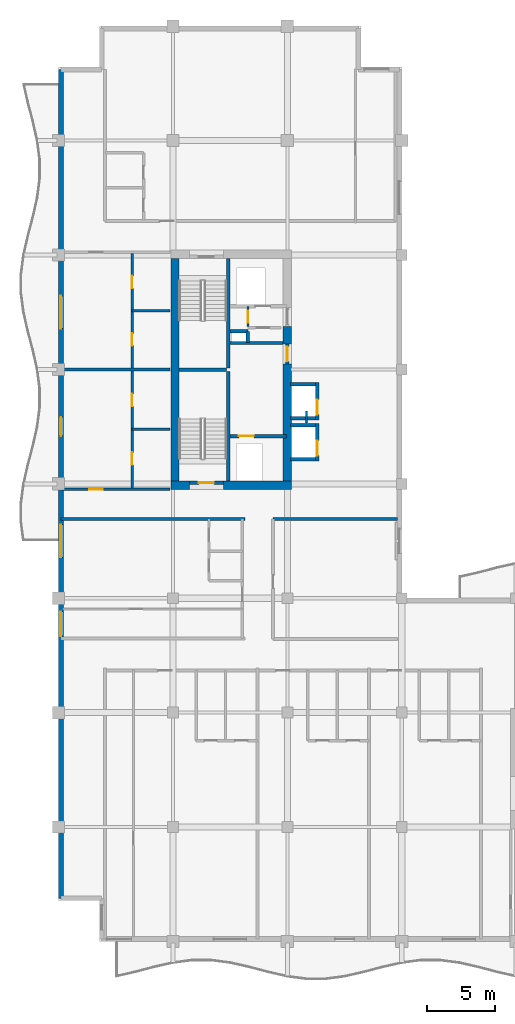
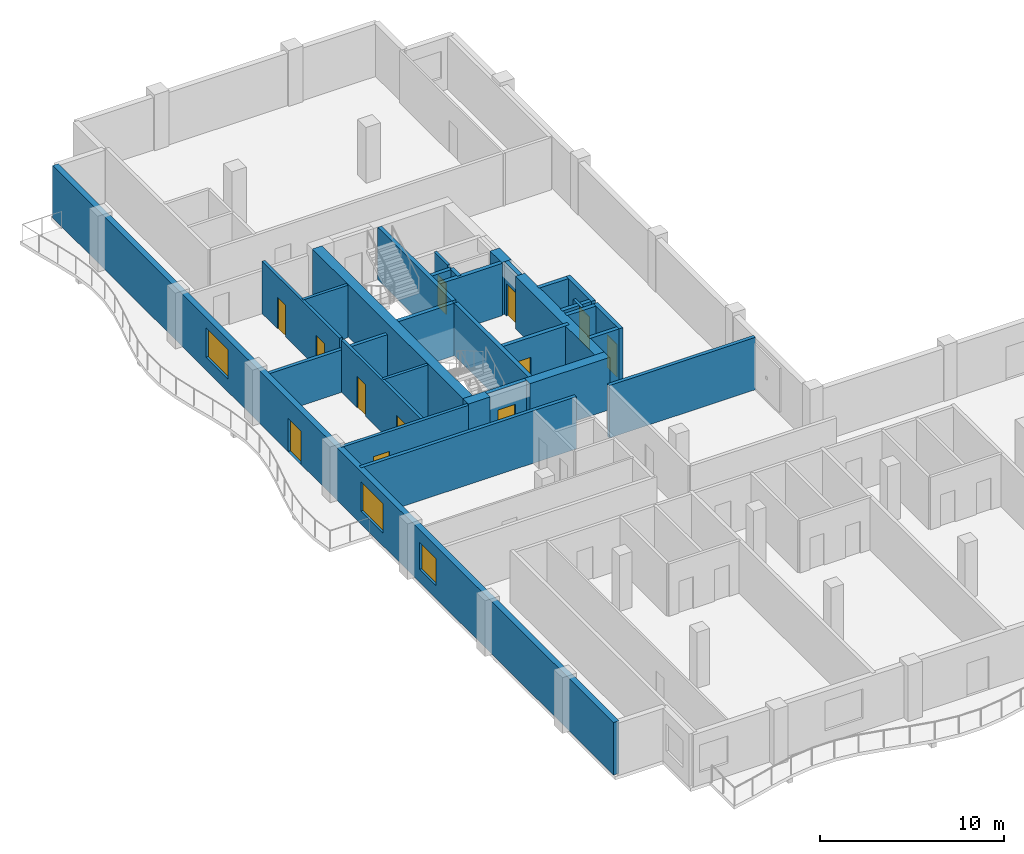
# One storey, part 6 of 12: 31 walls, 12 doors, 3 windows, 15 openings.
"""IFC4 building model written with IfcOpenShell, lengths in metres."""

from ifc_helpers import new_model, si_unit, direction, frame, frame_2d, origin, place, context, subcontext, project, spatial, rectangle, extrude, material, layer, layer_set, type_object, element, fill, save


model = new_model("IFC4")

# Units and contexts
model_context = context("Model", 3, precision=1e-05, world=origin(), true_north=direction((0.0, 1.0)))
body_context = subcontext(model_context, "Body", "Model", "MODEL_VIEW")
ifc_project = project(units=[si_unit("LENGTHUNIT", "METRE"), si_unit("AREAUNIT", "SQUARE_METRE"), si_unit("VOLUMEUNIT", "CUBIC_METRE"), si_unit("PLANEANGLEUNIT", "RADIAN"), si_unit("MASSUNIT", "GRAM", prefix="KILO")], contexts=[model_context])

# Site, building, storey
site_placement = place(None, origin())
site = spatial("IfcSite", under=ifc_project, at=site_placement, CompositionType="ELEMENT")
building_placement = place(site_placement, origin())
building = spatial("IfcBuilding", under=site, at=building_placement, Name="Koriwani Terraces Tower", CompositionType="ELEMENT")
storey_placement = place(building_placement, frame((0.0, 0.0, 249.0)))
storey = spatial("IfcBuildingStorey", under=building, at=storey_placement, Name="L61", CompositionType="ELEMENT", Elevation=249.0)

# Walls
ifc_material_1 = material(Name="Concrete C60/75", Category="concrete")
ifc_layer_1 = layer(ifc_material_1, 0.60009765625, Name="Concrete C60/75")
ifc_layer_set_1 = layer_set([ifc_layer_1], Name="Concrete C60/75")
wall_type_1 = type_object("IfcWallType", Name="WALL_CORE_RC_600", PredefinedType="SHEAR", material=ifc_layer_set_1)
wall_1_placement = place(storey_placement, frame((16.64990234375, 41.89990234375, 0.0), z_axis=(0.0, 0.0, 1.0), x_axis=(1.0, 0.0, 0.0)))
element("IfcWall", 1, at=wall_1_placement, inside=storey, type_object=wall_type_1, Name="L61 West Split Core Shear Wall S1", PredefinedType="SHEAR", context=body_context, shape_type="SweptSolid", body=[
    extrude(rectangle(XDim=1.35009765625, YDim=0.60009765625, at=frame_2d((0.675048828125, 0.0))), origin(), (0.0, 0.0, 1.0), 3.469970703125),
])
wall_2_placement = place(storey_placement, frame((20.5, 41.89990234375, 0.0), z_axis=(0.0, 0.0, 1.0), x_axis=(1.0, 0.0, 0.0)))
element("IfcWall", 2, at=wall_2_placement, inside=storey, type_object=wall_type_1, Name="L61 West Split Core Shear Wall S2", PredefinedType="SHEAR", context=body_context, shape_type="SweptSolid", body=[
    extrude(rectangle(XDim=5.0, YDim=0.60009765625, at=frame_2d((2.5, 0.0))), origin(), (0.0, 0.0, 1.0), 3.469970703125),
])
wall_3_placement = place(storey_placement, frame((16.949951171875, 42.199951171875, 0.0), z_axis=(0.0, 0.0, 1.0), x_axis=(0.0, 1.0, 0.0)))
element("IfcWall", 3, at=wall_3_placement, inside=storey, type_object=wall_type_1, Name="L61 West Split Core Shear Wall W1", PredefinedType="SHEAR", context=body_context, shape_type="SweptSolid", body=[
    extrude(rectangle(XDim=16.35009765625, YDim=0.60009765625, at=frame_2d((8.175048828125, 0.0))), origin(), (0.0, 0.0, 1.0), 3.469970703125),
])
wall_4_placement = place(storey_placement, frame((25.199951171875, 42.199951171875, 0.0), z_axis=(0.0, 0.0, 1.0), x_axis=(0.0, 1.0, 0.0)))
element("IfcWall", 4, at=wall_4_placement, inside=storey, type_object=wall_type_1, Name="L61 West Split Core Shear Wall E1", PredefinedType="SHEAR", context=body_context, shape_type="SweptSolid", body=[
    extrude(rectangle(XDim=8.60009765625, YDim=0.60009765625, at=frame_2d((4.300048828125, 0.0))), origin(), (0.0, 0.0, 1.0), 3.469970703125),
])
wall_5_placement = place(storey_placement, frame((25.199951171875, 52.280029296875, 0.0), z_axis=(0.0, 0.0, 1.0), x_axis=(0.0, 1.0, 0.0)))
element("IfcWall", 5, at=wall_5_placement, inside=storey, type_object=wall_type_1, Name="L61 West Split Core Shear Wall E2", PredefinedType="SHEAR", context=body_context, shape_type="SweptSolid", body=[
    extrude(rectangle(XDim=1.27001953125, YDim=0.60009765625, at=frame_2d((0.635009765625, 0.0))), origin(), (0.0, 0.0, 1.0), 3.469970703125),
])

# Wall, opening, door
ifc_material_2 = material(Name="Autoclaved Cellular Concrete Blockwork", Category="masonry")
ifc_layer_2 = layer(ifc_material_2, 0.199951171875, Name="Autoclaved Cellular Concrete Blockwork")
ifc_layer_set_2 = layer_set([ifc_layer_2], Name="Autoclaved Cellular Concrete Blockwork")
wall_type_2 = type_object("IfcWallType", Name="WALL_CORRIDOR_200", PredefinedType="PARTITIONING", material=ifc_layer_set_2)
wall_6_placement = place(storey_placement, frame((8.64990234375, 41.60009765625, 0.0), z_axis=(0.0, 0.0, 1.0), x_axis=(1.0, 0.0, 0.0)))
wall_6 = element("IfcWall", 6, at=wall_6_placement, inside=storey, type_object=wall_type_2, Name="L61 Interior Wall WRZ4-WS-L61", PredefinedType="PARTITIONING", context=body_context, shape_type="SweptSolid", body=[
    extrude(rectangle(XDim=7.9501953125, YDim=0.199951171875, at=frame_2d((3.97509765625, 0.0))), origin(), (0.0, 0.0, 1.0), 3.469970703125),
])
opening_1_placement = place(wall_6_placement, frame((2.0, 0.0, 0.0)))
opening_1 = element("IfcOpeningElement", 7, at=opening_1_placement, cuts=wall_6, Name="Opening D-05", PredefinedType="OPENING", context=body_context, shape_type="SweptSolid", body=[
    extrude(rectangle(XDim=1.0, YDim=2.14990234375, at=frame_2d((0.5, 1.074951171875))), frame((0.0, 0.10986328125, 0.0), z_axis=(0.0, -1.0, 0.0), x_axis=(1.0, 0.0, 0.0)), (0.0, 0.0, 1.0), 0.219970703125),
])
ifc_material_3 = material(Name="Architectural Oak Fire Door", Category="wood")
door_type_1 = type_object("IfcDoorType", Name="DOOR_SUITE_ENTRY_1000X2150", OperationType="NOTDEFINED", PredefinedType="DOOR", material=ifc_material_3)
door_1_placement = place(opening_1_placement, origin())
door_1 = element("IfcDoor", 8, at=door_1_placement, inside=storey, type_object=door_type_1, Name="Apartment 61RW1 Entrance Door", OperationType="SINGLE_SWING_RIGHT", OverallHeight=2.14990234375, OverallWidth=1.0, PredefinedType="DOOR", context=body_context, shape_type="SweptSolid", body=[
    extrude(rectangle(XDim=1.0, YDim=2.14990234375, at=frame_2d((0.5, 1.074951171875))), frame((0.0, 0.02490234375, 0.0), z_axis=(0.0, -1.0, 0.0), x_axis=(1.0, 0.0, 0.0)), (0.0, 0.0, 1.0), 0.050048828125),
])
fill(opening_1, door_1)

# Walls
ifc_layer_3 = layer(ifc_material_2, 0.219970703125, Name="Autoclaved Cellular Concrete Blockwork")
ifc_layer_set_3 = layer_set([ifc_layer_3], Name="Autoclaved Cellular Concrete Blockwork")
wall_type_3 = type_object("IfcWallType", Name="WALL_DEMISING_220", PredefinedType="PARTITIONING", material=ifc_layer_set_3)
wall_7_placement = place(storey_placement, frame((24.14990234375, 39.39990234375, 0.0), z_axis=(0.0, 0.0, 1.0), x_axis=(1.0, 0.0, 0.0)))
element("IfcWall", 9, at=wall_7_placement, inside=storey, type_object=wall_type_3, Name="L61 Interior Wall WIC4WN-L61", PredefinedType="PARTITIONING", context=body_context, shape_type="SweptSolid", body=[
    extrude(rectangle(XDim=9.150146484375, YDim=0.219970703125, at=frame_2d((4.5751953125, 0.0))), origin(), (0.0, 0.0, 1.0), 3.469970703125),
])
wall_8_placement = place(storey_placement, frame((8.64990234375, 50.39990234375, 0.0), z_axis=(0.0, 0.0, 1.0), x_axis=(1.0, 0.0, 0.0)))
element("IfcWall", 10, at=wall_8_placement, inside=storey, type_object=wall_type_3, Name="L61 Interior Wall WRZ4-WM-L61", PredefinedType="PARTITIONING", context=body_context, shape_type="SweptSolid", body=[
    extrude(rectangle(XDim=7.9501953125, YDim=0.219970703125, at=frame_2d((3.97509765625, 0.0))), origin(), (0.0, 0.0, 1.0), 2.820068359375),
])
wall_9_placement = place(storey_placement, frame((8.60009765625, 39.39990234375, 0.0), z_axis=(0.0, 0.0, 1.0), x_axis=(1.0, 0.0, 0.0)))
element("IfcWall", 11, at=wall_9_placement, inside=storey, type_object=wall_type_3, Name="L61 Interior Wall WRDEME-L61-NE", PredefinedType="PARTITIONING", context=body_context, shape_type="SweptSolid", body=[
    extrude(rectangle(XDim=13.47998046875, YDim=0.219970703125, at=frame_2d((6.739990234375, 0.0))), origin(), (0.0, 0.0, 1.0), 3.469970703125),
])

# Wall, openings, door, windows
ifc_material_4 = material(Name="Concrete C50/60", Category="concrete")
ifc_layer_4 = layer(ifc_material_4, 0.35009765625, Name="Concrete C50/60")
ifc_layer_set_4 = layer_set([ifc_layer_4], Name="Concrete C50/60")
wall_type_4 = type_object("IfcWallType", Name="WALL_EXT_BRUTALIST_350", PredefinedType="STANDARD", material=ifc_layer_set_4)
wall_10_placement = place(storey_placement, frame((8.574951171875, 11.574951171875, 0.0), z_axis=(0.0, 0.0, 1.0), x_axis=(0.0, 1.0, 0.0)))
wall_10 = element("IfcWall", 12, at=wall_10_placement, inside=storey, type_object=wall_type_4, Name="L61 Fair-Faced Brutalist Exterior Wall (W)", PredefinedType="STANDARD", context=body_context, shape_type="SweptSolid", body=[
    extrude(rectangle(XDim=60.85009765625, YDim=0.35009765625, at=frame_2d((30.425048828125, 0.0))), origin(), (0.0, 0.0, 1.0), 3.469970703125),
])
opening_2_placement = place(wall_10_placement, frame((33.925048828125, 0.0, 0.0)))
opening_2 = element("IfcOpeningElement", 13, at=opening_2_placement, cuts=wall_10, Name="Opening D-09", PredefinedType="OPENING", context=body_context, shape_type="SweptSolid", body=[
    extrude(rectangle(XDim=1.39990234375, YDim=2.199951171875, at=frame_2d((0.699951171875, 1.10009765625))), frame((0.0, 0.18505859375, 0.0), z_axis=(0.0, -1.0, 0.0), x_axis=(1.0, 0.0, 0.0)), (0.0, 0.0, 1.0), 0.3701171875),
])
opening_3_placement = place(wall_10_placement, frame((25.02490234375, 0.0, 0.85009765625)))
opening_3 = element("IfcOpeningElement", 14, at=opening_3_placement, cuts=wall_10, Name="Opening W-03", PredefinedType="OPENING", context=body_context, shape_type="SweptSolid", body=[
    extrude(rectangle(XDim=2.39990234375, YDim=1.949951171875, at=frame_2d((1.199951171875, 0.97509765625))), frame((0.0, 0.18505859375, 0.0), z_axis=(0.0, -1.0, 0.0), x_axis=(1.0, 0.0, 0.0)), (0.0, 0.0, 1.0), 0.3701171875),
])
opening_4_placement = place(wall_10_placement, frame((41.824951171875, 0.0, 0.85009765625)))
opening_4 = element("IfcOpeningElement", 15, at=opening_4_placement, cuts=wall_10, Name="Opening W-03", PredefinedType="OPENING", context=body_context, shape_type="SweptSolid", body=[
    extrude(rectangle(XDim=2.39990234375, YDim=1.949951171875, at=frame_2d((1.199951171875, 0.97509765625))), frame((0.0, 0.18505859375, 0.0), z_axis=(0.0, -1.0, 0.0), x_axis=(1.0, 0.0, 0.0)), (0.0, 0.0, 1.0), 0.3701171875),
])
opening_5_placement = place(wall_10_placement, frame((19.25, 0.0, 0.85009765625)))
opening_5 = element("IfcOpeningElement", 16, at=opening_5_placement, cuts=wall_10, Name="Opening W-04", PredefinedType="OPENING", context=body_context, shape_type="SweptSolid", body=[
    extrude(rectangle(XDim=1.800048828125, YDim=1.800048828125, at=frame_2d((0.89990234375, 0.89990234375))), frame((0.0, 0.18505859375, 0.0), z_axis=(0.0, -1.0, 0.0), x_axis=(1.0, 0.0, 0.0)), (0.0, 0.0, 1.0), 0.3701171875),
])
ifc_material_5 = material(Name="Anodised Bronze Aluminium", Category="aluminium")
door_type_2 = type_object("IfcDoorType", Name="DOOR_BALCONY_GLAZED_1400X2200", OperationType="NOTDEFINED", PredefinedType="DOOR", material=ifc_material_5)
door_2_placement = place(opening_2_placement, origin())
door_2 = element("IfcDoor", 17, at=door_2_placement, inside=storey, type_object=door_type_2, Name="L61 West Balcony Glazed Door", OperationType="SINGLE_SWING_LEFT", OverallHeight=2.199951171875, OverallWidth=1.39990234375, PredefinedType="DOOR", context=body_context, shape_type="SweptSolid", body=[
    extrude(rectangle(XDim=1.39990234375, YDim=2.199951171875, at=frame_2d((0.699951171875, 1.10009765625))), frame((0.0, 0.02490234375, 0.0), z_axis=(0.0, -1.0, 0.0), x_axis=(1.0, 0.0, 0.0)), (0.0, 0.0, 1.0), 0.050048828125),
])
fill(opening_2, door_2)
ifc_material_6 = material(Name="Tempered Laminated Low-E Glass", Category="glass")
window_type_1 = type_object("IfcWindowType", Name="WIN_RES_BED_1800X1800", PartitioningType="DOUBLE_PANEL_VERTICAL", PredefinedType="WINDOW", material=ifc_material_6)
window_1_placement = place(opening_5_placement, origin())
window_1 = element("IfcWindow", 18, at=window_1_placement, inside=storey, type_object=window_type_1, Name="L61 Exterior Window (W-R44)", OverallHeight=1.800048828125, OverallWidth=1.800048828125, PartitioningType="SINGLE_PANEL", PredefinedType="WINDOW", context=body_context, shape_type="SweptSolid", body=[
    extrude(rectangle(XDim=1.800048828125, YDim=1.800048828125, at=frame_2d((0.89990234375, 0.89990234375))), frame((0.0, 0.030029296875, 0.0), z_axis=(0.0, -1.0, 0.0), x_axis=(1.0, 0.0, 0.0)), (0.0, 0.0, 1.0), 0.06005859375),
])
fill(opening_5, window_1)
window_type_2 = type_object("IfcWindowType", Name="WIN_RES_LIVING_2400X1950", PartitioningType="DOUBLE_PANEL_VERTICAL", PredefinedType="WINDOW", material=ifc_material_6)
window_2_placement = place(opening_3_placement, origin())
window_2 = element("IfcWindow", 19, at=window_2_placement, inside=storey, type_object=window_type_2, Name="L61 Exterior Window (W-9)", OverallHeight=1.949951171875, OverallWidth=2.39990234375, PartitioningType="SINGLE_PANEL", PredefinedType="WINDOW", context=body_context, shape_type="SweptSolid", body=[
    extrude(rectangle(XDim=2.39990234375, YDim=1.949951171875, at=frame_2d((1.199951171875, 0.97509765625))), frame((0.0, 0.030029296875, 0.0), z_axis=(0.0, -1.0, 0.0), x_axis=(1.0, 0.0, 0.0)), (0.0, 0.0, 1.0), 0.06005859375),
])
fill(opening_3, window_2)
window_3_placement = place(opening_4_placement, origin())
window_3 = element("IfcWindow", 20, at=window_3_placement, inside=storey, type_object=window_type_2, Name="L61 Exterior Window (W-15)", OverallHeight=1.949951171875, OverallWidth=2.39990234375, PartitioningType="SINGLE_PANEL", PredefinedType="WINDOW", context=body_context, shape_type="SweptSolid", body=[
    extrude(rectangle(XDim=2.39990234375, YDim=1.949951171875, at=frame_2d((1.199951171875, 0.97509765625))), frame((0.0, 0.030029296875, 0.0), z_axis=(0.0, -1.0, 0.0), x_axis=(1.0, 0.0, 0.0)), (0.0, 0.0, 1.0), 0.06005859375),
])
fill(opening_4, window_3)

# Wall, openings, doors
ifc_material_7 = material(Name="Fire-Rated Acoustic Gypsum Partition", Category="masonry")
ifc_layer_5 = layer(ifc_material_7, 0.179931640625, Name="Fire-Rated Acoustic Gypsum Partition")
ifc_layer_set_5 = layer_set([ifc_layer_5], Name="Fire-Rated Acoustic Gypsum Partition")
wall_type_5 = type_object("IfcWallType", Name="WALL_PLUMBING_180", PredefinedType="PLUMBINGWALL", material=ifc_layer_set_5)
wall_11_placement = place(storey_placement, frame((13.800048828125, 41.699951171875, 0.0), z_axis=(0.0, 0.0, 1.0), x_axis=(0.0, 1.0, 0.0)))
wall_11 = element("IfcWall", 21, at=wall_11_placement, inside=storey, type_object=wall_type_5, Name="L61 Interior Wall WRZ4-RW1-PB-L61", PredefinedType="PLUMBINGWALL", context=body_context, shape_type="SweptSolid", body=[
    extrude(rectangle(XDim=8.60009765625, YDim=0.179931640625, at=frame_2d((4.300048828125, 0.0))), origin(), (0.0, 0.0, 1.0), 3.469970703125),
])
opening_6_placement = place(wall_11_placement, frame((1.699951171875, 0.0, 0.0)))
opening_6 = element("IfcOpeningElement", 22, at=opening_6_placement, cuts=wall_11, Name="Opening D-07", PredefinedType="OPENING", context=body_context, shape_type="SweptSolid", body=[
    extrude(rectangle(XDim=0.89990234375, YDim=2.10009765625, at=frame_2d((0.449951171875, 1.050048828125))), frame((0.0, 0.10009765625, 0.0), z_axis=(0.0, -1.0, 0.0), x_axis=(1.0, 0.0, 0.0)), (0.0, 0.0, 1.0), 0.199951171875),
])
opening_7_placement = place(wall_11_placement, frame((5.989990234375, 0.0, 0.0)))
opening_7 = element("IfcOpeningElement", 23, at=opening_7_placement, cuts=wall_11, Name="Opening D-06", PredefinedType="OPENING", context=body_context, shape_type="SweptSolid", body=[
    extrude(rectangle(XDim=0.919921875, YDim=2.10009765625, at=frame_2d((0.4599609375, 1.050048828125))), frame((0.0, 0.10009765625, 0.0), z_axis=(0.0, -1.0, 0.0), x_axis=(1.0, 0.0, 0.0)), (0.0, 0.0, 1.0), 0.199951171875),
])
door_type_3 = type_object("IfcDoorType", Name="DOOR_BATH_INT_900X2100", OperationType="NOTDEFINED", PredefinedType="DOOR", material=ifc_material_3)
door_3_placement = place(opening_6_placement, origin())
door_3 = element("IfcDoor", 24, at=door_3_placement, inside=storey, type_object=door_type_3, Name="Apartment 61RW1 Bathroom Door", OperationType="SINGLE_SWING_RIGHT", OverallHeight=2.10009765625, OverallWidth=0.89990234375, PredefinedType="DOOR", context=body_context, shape_type="SweptSolid", body=[
    extrude(rectangle(XDim=0.89990234375, YDim=2.10009765625, at=frame_2d((0.449951171875, 1.050048828125))), frame((0.0, 0.02490234375, 0.0), z_axis=(0.0, -1.0, 0.0), x_axis=(1.0, 0.0, 0.0)), (0.0, 0.0, 1.0), 0.050048828125),
])
fill(opening_6, door_3)
door_type_4 = type_object("IfcDoorType", Name="DOOR_ROOM_INT_920X2100", OperationType="NOTDEFINED", PredefinedType="DOOR", material=ifc_material_3)
door_4_placement = place(opening_7_placement, origin())
door_4 = element("IfcDoor", 25, at=door_4_placement, inside=storey, type_object=door_type_4, Name="Apartment 61RW1 Kitchen Door", OperationType="SINGLE_SWING_LEFT", OverallHeight=2.10009765625, OverallWidth=0.919921875, PredefinedType="DOOR", context=body_context, shape_type="SweptSolid", body=[
    extrude(rectangle(XDim=0.919921875, YDim=2.10009765625, at=frame_2d((0.4599609375, 1.050048828125))), frame((0.0, 0.02490234375, 0.0), z_axis=(0.0, -1.0, 0.0), x_axis=(1.0, 0.0, 0.0)), (0.0, 0.0, 1.0), 0.050048828125),
])
fill(opening_7, door_4)

# Wall
wall_12_placement = place(storey_placement, frame((13.800048828125, 46.0, 0.0), z_axis=(0.0, 0.0, 1.0), x_axis=(1.0, 0.0, 0.0)))
element("IfcWall", 26, at=wall_12_placement, inside=storey, type_object=wall_type_5, Name="L61 Interior Wall WRZ4-RW1-P2-L61", PredefinedType="PLUMBINGWALL", context=body_context, shape_type="SweptSolid", body=[
    extrude(rectangle(XDim=2.800048828125, YDim=0.179931640625, at=frame_2d((1.39990234375, 0.0))), origin(), (0.0, 0.0, 1.0), 3.469970703125),
])

# Wall, openings, doors
wall_13_placement = place(storey_placement, frame((13.800048828125, 50.5, 0.0), z_axis=(0.0, 0.0, 1.0), x_axis=(0.0, 1.0, 0.0)))
wall_13 = element("IfcWall", 27, at=wall_13_placement, inside=storey, type_object=wall_type_5, Name="L61 Interior Wall WRZ4-RW2-PB-L61", PredefinedType="PLUMBINGWALL", context=body_context, shape_type="SweptSolid", body=[
    extrude(rectangle(XDim=8.39990234375, YDim=0.179931640625, at=frame_2d((4.199951171875, 0.0))), origin(), (0.0, 0.0, 1.0), 3.469970703125),
])
opening_8_placement = place(wall_13_placement, frame((1.64990234375, 0.0, 0.0)))
opening_8 = element("IfcOpeningElement", 28, at=opening_8_placement, cuts=wall_13, Name="Opening D-07", PredefinedType="OPENING", context=body_context, shape_type="SweptSolid", body=[
    extrude(rectangle(XDim=0.89990234375, YDim=2.10009765625, at=frame_2d((0.449951171875, 1.050048828125))), frame((0.0, 0.10009765625, 0.0), z_axis=(0.0, -1.0, 0.0), x_axis=(1.0, 0.0, 0.0)), (0.0, 0.0, 1.0), 0.199951171875),
])
opening_9_placement = place(wall_13_placement, frame((5.840087890625, 0.0, 0.0)))
opening_9 = element("IfcOpeningElement", 29, at=opening_9_placement, cuts=wall_13, Name="Opening D-06", PredefinedType="OPENING", context=body_context, shape_type="SweptSolid", body=[
    extrude(rectangle(XDim=0.919921875, YDim=2.10009765625, at=frame_2d((0.4599609375, 1.050048828125))), frame((0.0, 0.10009765625, 0.0), z_axis=(0.0, -1.0, 0.0), x_axis=(1.0, 0.0, 0.0)), (0.0, 0.0, 1.0), 0.199951171875),
])
door_5_placement = place(opening_8_placement, origin())
door_5 = element("IfcDoor", 30, at=door_5_placement, inside=storey, type_object=door_type_3, Name="Apartment 61RW2 Bathroom Door", OperationType="SINGLE_SWING_RIGHT", OverallHeight=2.10009765625, OverallWidth=0.89990234375, PredefinedType="DOOR", context=body_context, shape_type="SweptSolid", body=[
    extrude(rectangle(XDim=0.89990234375, YDim=2.10009765625, at=frame_2d((0.449951171875, 1.050048828125))), frame((0.0, 0.02490234375, 0.0), z_axis=(0.0, -1.0, 0.0), x_axis=(1.0, 0.0, 0.0)), (0.0, 0.0, 1.0), 0.050048828125),
])
fill(opening_8, door_5)
door_6_placement = place(opening_9_placement, origin())
door_6 = element("IfcDoor", 31, at=door_6_placement, inside=storey, type_object=door_type_4, Name="Apartment 61RW2 Kitchen Door", OperationType="SINGLE_SWING_LEFT", OverallHeight=2.10009765625, OverallWidth=0.919921875, PredefinedType="DOOR", context=body_context, shape_type="SweptSolid", body=[
    extrude(rectangle(XDim=0.919921875, YDim=2.10009765625, at=frame_2d((0.4599609375, 1.050048828125))), frame((0.0, 0.02490234375, 0.0), z_axis=(0.0, -1.0, 0.0), x_axis=(1.0, 0.0, 0.0)), (0.0, 0.0, 1.0), 0.050048828125),
])
fill(opening_9, door_6)

# Walls
wall_14_placement = place(storey_placement, frame((13.800048828125, 54.699951171875, 0.0), z_axis=(0.0, 0.0, 1.0), x_axis=(1.0, 0.0, 0.0)))
element("IfcWall", 32, at=wall_14_placement, inside=storey, type_object=wall_type_5, Name="L61 Interior Wall WRZ4-RW2-P2-L61", PredefinedType="PLUMBINGWALL", context=body_context, shape_type="SweptSolid", body=[
    extrude(rectangle(XDim=2.800048828125, YDim=0.179931640625, at=frame_2d((1.39990234375, 0.0))), origin(), (0.0, 0.0, 1.0), 3.469970703125),
])
ifc_material_8 = material(Name="Concrete C40/50", Category="concrete")
ifc_layer_6 = layer(ifc_material_8, 0.25, Name="Concrete C40/50")
ifc_layer_set_6 = layer_set([ifc_layer_6], Name="Concrete C40/50")
wall_type_6 = type_object("IfcWallType", Name="WALL_SHAFT_RATED_250", PredefinedType="SOLIDWALL", material=ifc_layer_set_6)
for number, where, z_axis, x_axis, name in (
    (33, (20.875, 42.199951171875, 0.0), (0.0, 0.0, 1.0), (0.0, 1.0, 0.0), "L61 West Split Core Web Wall MID1"),
    (34, (20.875, 50.5, 0.0), (0.0, 0.0, 1.0), (0.0, 1.0, 0.0), "L61 West Split Core Web Wall MID2"),
):
    element("IfcWall", number, at=place(storey_placement, frame(where, z_axis=z_axis, x_axis=x_axis)), inside=storey, type_object=wall_type_6, Name=name, PredefinedType="SOLIDWALL", context=body_context, shape_type="SweptSolid", body=[
        extrude(rectangle(XDim=8.050048828125, YDim=0.25, at=frame_2d((4.02490234375, 0.0))), origin(), (0.0, 0.0, 1.0), 3.469970703125),
    ])
wall_15_placement = place(storey_placement, frame((17.25, 50.375, 0.0), z_axis=(0.0, 0.0, 1.0), x_axis=(1.0, 0.0, 0.0)))
element("IfcWall", 35, at=wall_15_placement, inside=storey, type_object=wall_type_6, Name="L61 West Split Core Stair Dividing Wall", PredefinedType="SOLIDWALL", context=body_context, shape_type="SweptSolid", body=[
    extrude(rectangle(XDim=3.5, YDim=0.25, at=frame_2d((1.75, 0.0))), origin(), (0.0, 0.0, 1.0), 3.469970703125),
])

# Wall, opening, door
wall_16_placement = place(storey_placement, frame((18.0, 42.074951171875, 0.0), z_axis=(0.0, 0.0, 1.0), x_axis=(1.0, 0.0, 0.0)))
wall_16 = element("IfcWall", 36, at=wall_16_placement, inside=storey, type_object=wall_type_6, Name="L61 Interior Wall WIN-CW-L61-STS", PredefinedType="SOLIDWALL", context=body_context, shape_type="SweptSolid", body=[
    extrude(rectangle(XDim=2.5, YDim=0.25, at=frame_2d((1.25, 0.0))), origin(), (0.0, 0.0, 1.0), 3.469970703125),
])
opening_10_placement = place(wall_16_placement, frame((0.699951171875, 0.0, 0.0)))
opening_10 = element("IfcOpeningElement", 37, at=opening_10_placement, cuts=wall_16, Name="Opening D-03", PredefinedType="OPENING", context=body_context, shape_type="SweptSolid", body=[
    extrude(rectangle(XDim=1.10009765625, YDim=2.14990234375, at=frame_2d((0.550048828125, 1.074951171875))), frame((0.0, 0.135009765625, 0.0), z_axis=(0.0, -1.0, 0.0), x_axis=(1.0, 0.0, 0.0)), (0.0, 0.0, 1.0), 0.27001953125),
])
ifc_material_9 = material(Name="Steel ASTM A572 Grade 50", Category="steel")
door_type_5 = type_object("IfcDoorType", Name="DOOR_STAIR_FIRE_1100X2150", OperationType="NOTDEFINED", PredefinedType="DOOR", material=ifc_material_9)
door_7_placement = place(opening_10_placement, origin())
door_7 = element("IfcDoor", 38, at=door_7_placement, inside=storey, type_object=door_type_5, Name="L61 Exit Stair ST-W1 Door", OperationType="SINGLE_SWING_LEFT", OverallHeight=2.14990234375, OverallWidth=1.10009765625, PredefinedType="DOOR", context=body_context, shape_type="SweptSolid", body=[
    extrude(rectangle(XDim=1.10009765625, YDim=2.14990234375, at=frame_2d((0.550048828125, 1.074951171875))), frame((0.0, 0.02490234375, 0.0), z_axis=(0.0, -1.0, 0.0), x_axis=(1.0, 0.0, 0.0)), (0.0, 0.0, 1.0), 0.050048828125),
])
fill(opening_10, door_7)

wall_17_placement = place(storey_placement, frame((21.0, 45.5, 0.0), z_axis=(0.0, 0.0, 1.0), x_axis=(1.0, 0.0, 0.0)))
wall_17 = element("IfcWall", 39, at=wall_17_placement, inside=storey, type_object=wall_type_6, Name="L61 Interior Wall WIN-CW-L61-FE", PredefinedType="SOLIDWALL", context=body_context, shape_type="SweptSolid", body=[
    extrude(rectangle(XDim=4.14990234375, YDim=0.25, at=frame_2d((2.074951171875, 0.0))), origin(), (0.0, 0.0, 1.0), 3.469970703125),
])
opening_11_placement = place(wall_17_placement, frame((0.64990234375, 0.0, 0.0)))
opening_11 = element("IfcOpeningElement", 40, at=opening_11_placement, cuts=wall_17, Name="Opening LD-01", PredefinedType="OPENING", context=body_context, shape_type="SweptSolid", body=[
    extrude(rectangle(XDim=1.10009765625, YDim=2.14990234375, at=frame_2d((0.550048828125, 1.074951171875))), frame((0.0, 0.135009765625, 0.0), z_axis=(0.0, -1.0, 0.0), x_axis=(1.0, 0.0, 0.0)), (0.0, 0.0, 1.0), 0.27001953125),
])
door_type_6 = type_object("IfcDoorType", Name="DOOR_LIFT_LANDING_1100X2200", OperationType="NOTDEFINED", PredefinedType="DOOR", material=ifc_material_9)
door_8_placement = place(opening_11_placement, origin())
door_8 = element("IfcDoor", 41, at=door_8_placement, inside=storey, type_object=door_type_6, Name="L61 Firefighting Lift FE-01 Landing Door", OperationType="SLIDING_TO_LEFT", OverallHeight=2.14990234375, OverallWidth=1.10009765625, PredefinedType="DOOR", context=body_context, shape_type="SweptSolid", body=[
    extrude(rectangle(XDim=1.10009765625, YDim=2.14990234375, at=frame_2d((0.550048828125, 1.074951171875))), frame((0.0, 0.02490234375, 0.0), z_axis=(0.0, -1.0, 0.0), x_axis=(1.0, 0.0, 0.0)), (0.0, 0.0, 1.0), 0.050048828125),
])
fill(opening_11, door_8)

wall_18_placement = place(storey_placement, frame((25.199951171875, 50.800048828125, 0.0), z_axis=(0.0, 0.0, 1.0), x_axis=(0.0, 1.0, 0.0)))
wall_18 = element("IfcWall", 42, at=wall_18_placement, inside=storey, type_object=wall_type_6, Name="L61 Interior Wall WIN-CW-L61-EP", PredefinedType="SOLIDWALL", context=body_context, shape_type="SweptSolid", body=[
    extrude(rectangle(XDim=1.47998046875, YDim=0.25, at=frame_2d((0.739990234375, 0.0))), origin(), (0.0, 0.0, 1.0), 3.469970703125),
])
opening_12_placement = place(wall_18_placement, frame((0.179931640625, 0.0, 0.0)))
opening_12 = element("IfcOpeningElement", 43, at=opening_12_placement, cuts=wall_18, Name="Opening D-03", PredefinedType="OPENING", context=body_context, shape_type="SweptSolid", body=[
    extrude(rectangle(XDim=1.10009765625, YDim=2.14990234375, at=frame_2d((0.550048828125, 1.074951171875))), frame((0.0, 0.135009765625, 0.0), z_axis=(0.0, -1.0, 0.0), x_axis=(1.0, 0.0, 0.0)), (0.0, 0.0, 1.0), 0.27001953125),
])
door_9_placement = place(opening_12_placement, origin())
door_9 = element("IfcDoor", 44, at=door_9_placement, inside=storey, type_object=door_type_5, Name="L61 West Firefighting Lobby Door", OperationType="SINGLE_SWING_LEFT", OverallHeight=2.14990234375, OverallWidth=1.10009765625, PredefinedType="DOOR", context=body_context, shape_type="SweptSolid", body=[
    extrude(rectangle(XDim=1.10009765625, YDim=2.14990234375, at=frame_2d((0.550048828125, 1.074951171875))), frame((0.0, 0.02490234375, 0.0), z_axis=(0.0, -1.0, 0.0), x_axis=(1.0, 0.0, 0.0)), (0.0, 0.0, 1.0), 0.050048828125),
])
fill(opening_12, door_9)

# Walls
wall_19_placement = place(storey_placement, frame((21.0, 52.340087890625, 0.0), z_axis=(0.0, 0.0, 1.0), x_axis=(1.0, 0.0, 0.0)))
element("IfcWall", 45, at=wall_19_placement, inside=storey, type_object=wall_type_6, Name="L61 Interior Wall WIN-CW-L61-FFN", PredefinedType="SOLIDWALL", context=body_context, shape_type="SweptSolid", body=[
    extrude(rectangle(XDim=3.89990234375, YDim=0.25, at=frame_2d((1.949951171875, 0.0))), origin(), (0.0, 0.0, 1.0), 3.469970703125),
])
wall_20_placement = place(storey_placement, frame((21.0, 53.199951171875, 0.0), z_axis=(0.0, 0.0, 1.0), x_axis=(1.0, 0.0, 0.0)))
element("IfcWall", 46, at=wall_20_placement, inside=storey, type_object=wall_type_6, Name="L61 Interior Wall WIN-CW-L61-RS1", PredefinedType="SOLIDWALL", context=body_context, shape_type="SweptSolid", body=[
    extrude(rectangle(XDim=1.300048828125, YDim=0.25, at=frame_2d((0.64990234375, 0.0))), origin(), (0.0, 0.0, 1.0), 3.469970703125),
])
wall_21_placement = place(storey_placement, frame((22.300048828125, 52.360107421875, 0.0), z_axis=(0.0, 0.0, 1.0), x_axis=(0.0, 1.0, 0.0)))
element("IfcWall", 47, at=wall_21_placement, inside=storey, type_object=wall_type_6, Name="L61 Interior Wall WIN-CW-L61-RS2", PredefinedType="SOLIDWALL", context=body_context, shape_type="SweptSolid", body=[
    extrude(rectangle(XDim=0.83984375, YDim=0.25, at=frame_2d((0.419921875, 0.0))), origin(), (0.0, 0.0, 1.0), 3.469970703125),
])

# Wall, opening, door
wall_22_placement = place(storey_placement, frame((27.39990234375, 43.675048828125, 0.0), z_axis=(0.0, 0.0, 1.0), x_axis=(0.0, 1.0, 0.0)))
wall_22 = element("IfcWall", 48, at=wall_22_placement, inside=storey, type_object=wall_type_6, Name="L61 Interior Wall WIN-LF-PE-H1-L61-F", PredefinedType="SOLIDWALL", context=body_context, shape_type="SweptSolid", body=[
    extrude(rectangle(XDim=2.75, YDim=0.25, at=frame_2d((1.375, 0.0))), origin(), (0.0, 0.0, 1.0), 3.469970703125),
])
opening_13_placement = place(wall_22_placement, frame((0.39990234375, 0.0, 0.0)))
opening_13 = element("IfcOpeningElement", 49, at=opening_13_placement, cuts=wall_22, Name="Opening LD-01", PredefinedType="OPENING", context=body_context, shape_type="SweptSolid", body=[
    extrude(rectangle(XDim=1.10009765625, YDim=2.14990234375, at=frame_2d((0.550048828125, 1.074951171875))), frame((0.0, 0.135009765625, 0.0), z_axis=(0.0, -1.0, 0.0), x_axis=(1.0, 0.0, 0.0)), (0.0, 0.0, 1.0), 0.27001953125),
])
door_10_placement = place(opening_13_placement, origin())
door_10 = element("IfcDoor", 50, at=door_10_placement, inside=storey, type_object=door_type_6, Name="L61 Passenger Lift PE-H1 Landing Door", OperationType="SLIDING_TO_LEFT", OverallHeight=2.14990234375, OverallWidth=1.10009765625, PredefinedType="DOOR", context=body_context, shape_type="SweptSolid", body=[
    extrude(rectangle(XDim=1.10009765625, YDim=2.14990234375, at=frame_2d((0.550048828125, 1.074951171875))), frame((0.0, 0.02490234375, 0.0), z_axis=(0.0, -1.0, 0.0), x_axis=(1.0, 0.0, 0.0)), (0.0, 0.0, 1.0), 0.050048828125),
])
fill(opening_13, door_10)

# Walls
for number, where, z_axis, x_axis, name in (
    (51, (25.449951171875, 43.800048828125, 0.0), (0.0, 0.0, 1.0), (1.0, 0.0, 0.0), "L61 Interior Wall WIN-LF-PE-H1-L61-S"),
    (52, (25.449951171875, 46.300048828125, 0.0), (0.0, 0.0, 1.0), (1.0, 0.0, 0.0), "L61 Interior Wall WIN-LF-PE-H1-L61-N"),
):
    element("IfcWall", number, at=place(storey_placement, frame(where, z_axis=z_axis, x_axis=x_axis)), inside=storey, type_object=wall_type_6, Name=name, PredefinedType="SOLIDWALL", context=body_context, shape_type="SweptSolid", body=[
        extrude(rectangle(XDim=1.824951171875, YDim=0.25, at=frame_2d((0.91259765625, 0.0))), origin(), (0.0, 0.0, 1.0), 3.469970703125),
    ])

# Wall, opening, door
wall_23_placement = place(storey_placement, frame((27.39990234375, 46.675048828125, 0.0), z_axis=(0.0, 0.0, 1.0), x_axis=(0.0, 1.0, 0.0)))
wall_23 = element("IfcWall", 53, at=wall_23_placement, inside=storey, type_object=wall_type_6, Name="L61 Interior Wall WIN-LF-PE-H2-L61-F", PredefinedType="SOLIDWALL", context=body_context, shape_type="SweptSolid", body=[
    extrude(rectangle(XDim=2.75, YDim=0.25, at=frame_2d((1.375, 0.0))), origin(), (0.0, 0.0, 1.0), 3.469970703125),
])
opening_14_placement = place(wall_23_placement, frame((0.39990234375, 0.0, 0.0)))
opening_14 = element("IfcOpeningElement", 54, at=opening_14_placement, cuts=wall_23, Name="Opening LD-01", PredefinedType="OPENING", context=body_context, shape_type="SweptSolid", body=[
    extrude(rectangle(XDim=1.10009765625, YDim=2.14990234375, at=frame_2d((0.550048828125, 1.074951171875))), frame((0.0, 0.135009765625, 0.0), z_axis=(0.0, -1.0, 0.0), x_axis=(1.0, 0.0, 0.0)), (0.0, 0.0, 1.0), 0.27001953125),
])
door_11_placement = place(opening_14_placement, origin())
door_11 = element("IfcDoor", 55, at=door_11_placement, inside=storey, type_object=door_type_6, Name="L61 Passenger Lift PE-H2 Landing Door", OperationType="SLIDING_TO_LEFT", OverallHeight=2.14990234375, OverallWidth=1.10009765625, PredefinedType="DOOR", context=body_context, shape_type="SweptSolid", body=[
    extrude(rectangle(XDim=1.10009765625, YDim=2.14990234375, at=frame_2d((0.550048828125, 1.074951171875))), frame((0.0, 0.02490234375, 0.0), z_axis=(0.0, -1.0, 0.0), x_axis=(1.0, 0.0, 0.0)), (0.0, 0.0, 1.0), 0.050048828125),
])
fill(opening_14, door_11)

# Walls
for number, where, z_axis, x_axis, name in (
    (56, (25.449951171875, 46.800048828125, 0.0), (0.0, 0.0, 1.0), (1.0, 0.0, 0.0), "L61 Interior Wall WIN-LF-PE-H2-L61-S"),
    (57, (25.449951171875, 49.300048828125, 0.0), (0.0, 0.0, 1.0), (1.0, 0.0, 0.0), "L61 Interior Wall WIN-LF-PE-H2-L61-N"),
):
    element("IfcWall", number, at=place(storey_placement, frame(where, z_axis=z_axis, x_axis=x_axis)), inside=storey, type_object=wall_type_6, Name=name, PredefinedType="SOLIDWALL", context=body_context, shape_type="SweptSolid", body=[
        extrude(rectangle(XDim=1.824951171875, YDim=0.25, at=frame_2d((0.91259765625, 0.0))), origin(), (0.0, 0.0, 1.0), 3.469970703125),
    ])

# Wall, opening, door
ifc_layer_7 = layer(ifc_material_7, 0.159912109375, Name="Fire-Rated Acoustic Gypsum Partition")
ifc_layer_set_7 = layer_set([ifc_layer_7], Name="Fire-Rated Acoustic Gypsum Partition")
wall_type_7 = type_object("IfcWallType", Name="WALL_SUITE_160", PredefinedType="PARTITIONING", material=ifc_layer_set_7)
wall_24_placement = place(storey_placement, frame((22.320068359375, 53.56005859375, 0.0), z_axis=(0.0, 0.0, 1.0), x_axis=(0.0, 1.0, 0.0)))
wall_24 = element("IfcWall", 58, at=wall_24_placement, inside=storey, type_object=wall_type_7, Name="L61 Interior Wall WIN-CW-L61-SV1A", PredefinedType="PARTITIONING", context=body_context, shape_type="SweptSolid", body=[
    extrude(rectangle(XDim=1.43994140625, YDim=0.159912109375, at=frame_2d((0.719970703125, 0.0))), origin(), (0.0, 0.0, 1.0), 3.469970703125),
])
opening_15_placement = place(wall_24_placement, frame((0.260009765625, 0.0, 0.0)))
opening_15 = element("IfcOpeningElement", 59, at=opening_15_placement, cuts=wall_24, Name="Opening D-07", PredefinedType="OPENING", context=body_context, shape_type="SweptSolid", body=[
    extrude(rectangle(XDim=0.89990234375, YDim=2.10009765625, at=frame_2d((0.449951171875, 1.050048828125))), frame((0.0, 0.08984375, 0.0), z_axis=(0.0, -1.0, 0.0), x_axis=(1.0, 0.0, 0.0)), (0.0, 0.0, 1.0), 0.179931640625),
])
door_12_placement = place(opening_15_placement, origin())
door_12 = element("IfcDoor", 60, at=door_12_placement, inside=storey, type_object=door_type_3, Name="L61 West Telecom Room Door", OperationType="SINGLE_SWING_LEFT", OverallHeight=2.10009765625, OverallWidth=0.89990234375, PredefinedType="DOOR", context=body_context, shape_type="SweptSolid", body=[
    extrude(rectangle(XDim=0.89990234375, YDim=2.10009765625, at=frame_2d((0.449951171875, 1.050048828125))), frame((0.0, 0.02490234375, 0.0), z_axis=(0.0, -1.0, 0.0), x_axis=(1.0, 0.0, 0.0)), (0.0, 0.0, 1.0), 0.050048828125),
])
fill(opening_15, door_12)

# Wall
wall_25_placement = place(storey_placement, frame((26.60009765625, 46.4599609375, 0.0), z_axis=(0.0, 0.0, 1.0), x_axis=(0.0, 1.0, 0.0)))
element("IfcWall", 61, at=wall_25_placement, inside=storey, type_object=wall_type_7, Name="L61 Interior Wall WIN-LF-PEH12-MID-L61", PredefinedType="PARTITIONING", context=body_context, shape_type="SweptSolid", body=[
    extrude(rectangle(XDim=0.880126953125, YDim=0.159912109375, at=frame_2d((0.43994140625, 0.0))), origin(), (0.0, 0.0, 1.0), 3.469970703125),
])

save(model, "model.ifc")
